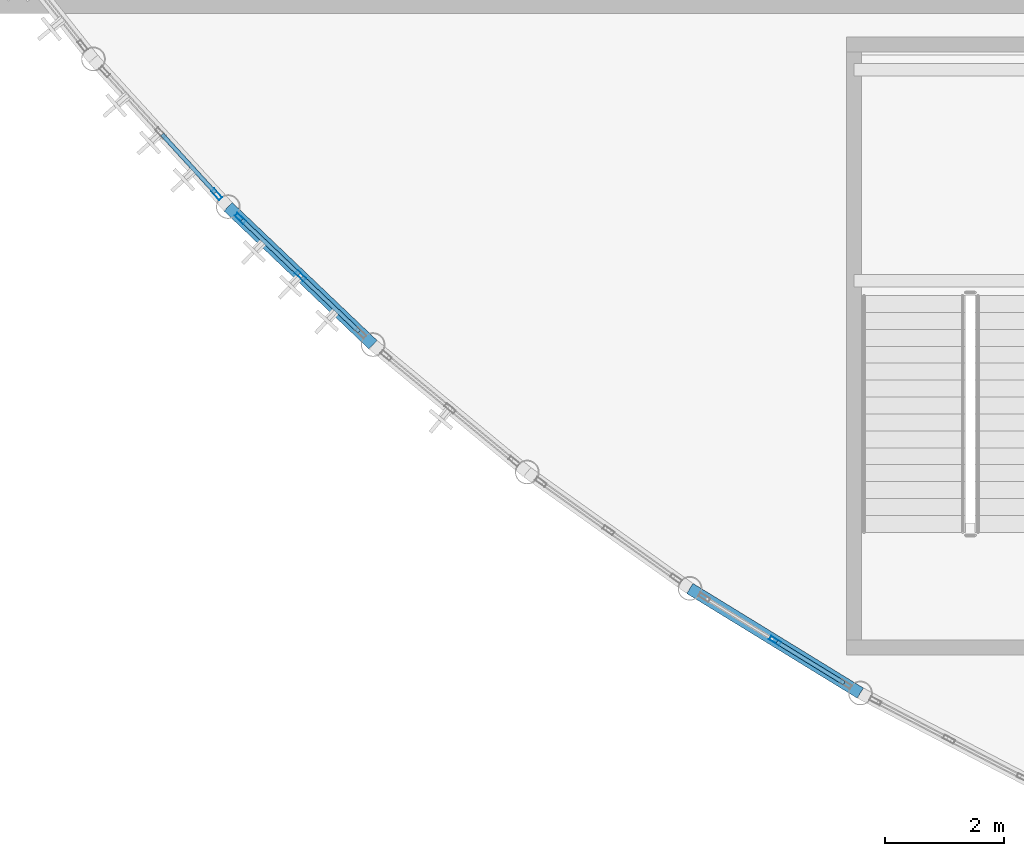
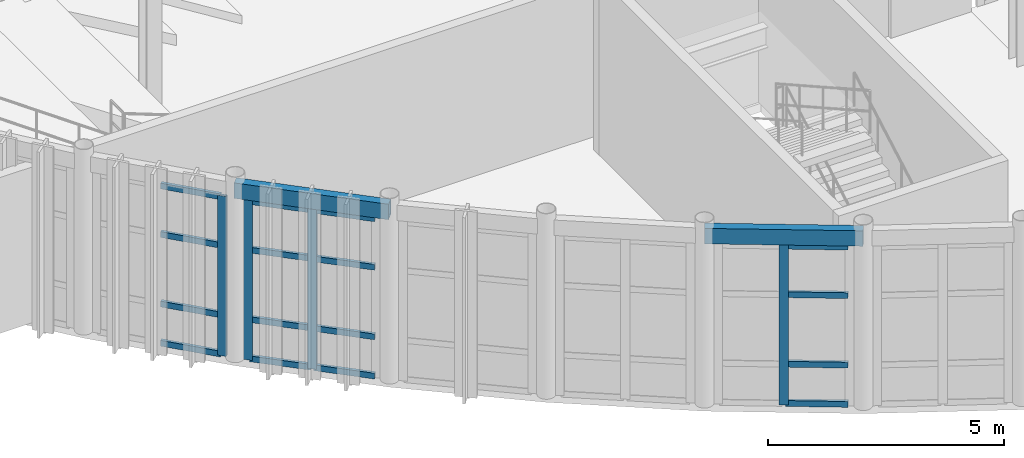
# One storey, part 20 of 116: 20 members, 2 beams, 3 elements without a shape of their own.
"""IFC4 building model written with IfcOpenShell, lengths in metres."""

import ifcopenshell
import ifcopenshell.guid

model = None  # the IFC model being written
_history = None  # IfcOwnerHistory: only IFC2X3 demands one
_inside = {}  # id of a spatial element -> (the spatial element, [elements in it])
_under = {}  # id of a project, library or spatial element -> (it, [spatial elements below it])
_declared = {}  # id of a project -> (the project, [libraries it declares])
_typed = {}  # id of a type object -> (the type object, [elements of that type])
_made_of = {}  # id of a material, layer set ... -> (it, [elements and type objects made of it])


def new_model(schema):
    """Start an empty IFC model of exactly this schema.

    Asked for "IFC4X3", IfcOpenShell would pick the latest addendum, in which some entities
    have other attributes; the version numbers below select the first issue.
    IFC2X3 requires an IfcOwnerHistory on every rooted entity: one is made here for all.
    """
    global model, _history
    if schema == "IFC4X3":
        model = ifcopenshell.file(schema_version=(4, 3, 0, 0))
    else:
        model = ifcopenshell.file(schema=schema)
    _inside.clear()
    _under.clear()
    _declared.clear()
    _typed.clear()
    _made_of.clear()
    _history = None
    if model.schema == "IFC2X3":
        org = make("IfcOrganization", Name="unknown")
        user = make(
            "IfcPersonAndOrganization",
            ThePerson=make("IfcPerson", FamilyName="unknown"),
            TheOrganization=org,
        )
        app = make(
            "IfcApplication",
            ApplicationDeveloper=org,
            Version="unknown",
            ApplicationFullName="unknown",
            ApplicationIdentifier="unknown",
        )
        _history = make(
            "IfcOwnerHistory",
            OwningUser=user,
            OwningApplication=app,
            ChangeAction="ADDED",
            CreationDate=0,
        )
    return model


def make(cls, **values):
    """One entity of the class cls with the attributes given. An attribute that is None is left unset."""
    return model.create_entity(
        cls, **{name: value for name, value in values.items() if value is not None}
    )


def rooted(cls, **values):
    """An entity with a GlobalId (a new one), such as an element, a storey or a relation."""
    return make(cls, GlobalId=ifcopenshell.guid.new(), OwnerHistory=_history, **values)


def si_unit(unit_type, name, prefix=None):
    """IfcSIUnit, for example si_unit("LENGTHUNIT", "METRE", prefix="MILLI")."""
    return make("IfcSIUnit", UnitType=unit_type, Prefix=prefix, Name=name)


def assignment(units):
    """IfcUnitAssignment: the units of a project."""
    return None if units is None else make("IfcUnitAssignment", Units=units)


def point(xyz):
    """IfcCartesianPoint."""
    return None if xyz is None else make("IfcCartesianPoint", Coordinates=xyz)


def direction(xyz):
    """IfcDirection."""
    return None if xyz is None else make("IfcDirection", DirectionRatios=xyz)


def frame(location, z_axis=None, x_axis=None):
    """IfcAxis2Placement3D, a coordinate frame: its origin and axes. An axis left out is left unset."""
    return make(
        "IfcAxis2Placement3D",
        Location=point(location),
        Axis=direction(z_axis),
        RefDirection=direction(x_axis),
    )


def frame_2d(location, x_axis=None):
    """IfcAxis2Placement2D, a coordinate frame in the plane: its origin and x axis."""
    return make(
        "IfcAxis2Placement2D", Location=point(location), RefDirection=direction(x_axis)
    )


def origin():
    """The frame at (0, 0, 0) with its axes left unset."""
    return frame((0.0, 0.0, 0.0))


def origin_2d():
    """The frame at (0, 0) in the plane with its x axis left unset."""
    return frame_2d((0.0, 0.0))


def place(relative_to, where):
    """IfcLocalPlacement: puts the frame where relative to a parent placement (None: the world)."""
    return make(
        "IfcLocalPlacement", PlacementRelTo=relative_to, RelativePlacement=where
    )


def context(
    kind, dimensions, precision=None, world=None, true_north=None, identifier=None
):
    """IfcGeometricRepresentationContext, for example the 3D "Model" context."""
    return make(
        "IfcGeometricRepresentationContext",
        ContextIdentifier=identifier,
        ContextType=kind,
        CoordinateSpaceDimension=dimensions,
        Precision=precision,
        WorldCoordinateSystem=world,
        TrueNorth=true_north,
    )


def subcontext(parent, identifier, kind, view, scale=None):
    """IfcGeometricRepresentationSubContext, for example "Body" below "Model"."""
    return make(
        "IfcGeometricRepresentationSubContext",
        ContextIdentifier=identifier,
        ContextType=kind,
        ParentContext=parent,
        TargetScale=scale,
        TargetView=view,
    )


def project(units=None, contexts=None):
    """IfcProject with its units and contexts."""
    return rooted(
        "IfcProject",
        Name="project",
        RepresentationContexts=contexts,
        UnitsInContext=assignment(units),
    )


def spatial(cls, under=None, at=None, **own):
    """A site, building, storey or space (cls), placed at a placement, below another one or the project."""
    s = rooted(cls, ObjectPlacement=at, **own)
    if under is not None:
        _under.setdefault(under.id(), (under, []))[1].append(s)
    return s


def profile(cls, at=None, kind="AREA", **sizes):
    """A parametric profile (cls). Its sizes go by their IFC names, for example OverallWidth=200.0."""
    return make(cls, ProfileType=kind, Position=at, **sizes)


def hollow_rectangle(**sizes):
    """IfcRectangleHollowProfileDef."""
    return profile("IfcRectangleHollowProfileDef", **sizes)


def extrude(swept, where, along, depth):
    """IfcExtrudedAreaSolid: the profile swept, set in the frame where, extruded along a direction by depth."""
    return make(
        "IfcExtrudedAreaSolid",
        SweptArea=swept,
        Position=where,
        ExtrudedDirection=direction(along),
        Depth=depth,
    )


def shape(context_of_items, identifier, shape_type, items):
    """IfcShapeRepresentation: the items that make up one representation, for example the "Body"."""
    return make(
        "IfcShapeRepresentation",
        ContextOfItems=context_of_items,
        RepresentationIdentifier=identifier,
        RepresentationType=shape_type,
        Items=items,
    )


def material(Name=None, Category=None):
    """IfcMaterial."""
    return make("IfcMaterial", Name=Name, Category=Category)


def layer(
    of_material, thickness, ventilated=None, Name=None, Category=None, Priority=None
):
    """IfcMaterialLayer: one layer of a wall or slab, of a material (None: an air gap)."""
    return make(
        "IfcMaterialLayer",
        Material=of_material,
        LayerThickness=thickness,
        IsVentilated=ventilated,
        Name=Name,
        Category=Category,
        Priority=Priority,
    )


def layer_set(layers, Name=None):
    """IfcMaterialLayerSet."""
    return make("IfcMaterialLayerSet", MaterialLayers=layers, LayerSetName=Name)


def material_profile(
    of_material, cross_section, Name=None, Category=None, Priority=None
):
    """IfcMaterialProfile: a cross section and its material."""
    return make(
        "IfcMaterialProfile",
        Name=Name,
        Material=of_material,
        Profile=cross_section,
        Priority=Priority,
        Category=Category,
    )


def profile_set(profiles, Name=None, composite=None):
    """IfcMaterialProfileSet."""
    return make(
        "IfcMaterialProfileSet",
        Name=Name,
        MaterialProfiles=profiles,
        CompositeProfile=composite,
    )


def made_of(thing, what):
    """Note that an element or type object is made of a material, layer set ...; save() writes the relation."""
    if what is not None:
        _made_of.setdefault(what.id(), (what, []))[1].append(thing)
    return thing


def type_object(cls, material=None, **own):
    """A type object (cls), such as IfcWallType, which elements share."""
    return made_of(rooted(cls, **own), material)


def element(
    cls,
    number,
    at=None,
    inside=None,
    cuts=None,
    type_object=None,
    material=None,
    context=None,
    identifier="Body",
    shape_type=None,
    held_by="IfcProductDefinitionShape",
    body=None,
    shapes=None,
    **own,
):
    """One element of the class cls, such as IfcWall. Its Tag is "e" and its number.

    at: its placement. inside: the storey or other place that contains it. cuts: it is an
    opening in that element (IfcRelVoidsElement). A single representation is given by context,
    identifier, shape_type and body (its items); several are given by shapes. held_by: the class
    of the entity that holds the representations. save() writes the other relations.
    """
    e = rooted(cls, Tag="e%d" % number, ObjectPlacement=at, **own)
    if body is not None:
        shapes = [shape(context, identifier, shape_type, body)]
    if shapes is not None:
        e.Representation = make(held_by, Representations=shapes)
    if inside is not None:
        _inside.setdefault(inside.id(), (inside, []))[1].append(e)
    if cuts is not None:
        rooted(
            "IfcRelVoidsElement", RelatingBuildingElement=cuts, RelatedOpeningElement=e
        )
    if type_object is not None:
        _typed.setdefault(type_object.id(), (type_object, []))[1].append(e)
    return made_of(e, material)


def aggregate(whole, parts):
    """IfcRelAggregates: a whole, such as a stair, and the parts it consists of."""
    return rooted("IfcRelAggregates", RelatingObject=whole, RelatedObjects=parts)


def save(model, path):
    """Write the relations noted so far, then the file.

    IfcRelAggregates (storeys below a building ...), IfcRelContainedInSpatialStructure (elements
    in a storey), IfcRelDefinesByType, IfcRelAssociatesMaterial and IfcRelDeclares: one each for
    every whole, place, type object, material and project.
    """
    for whole, parts in _under.values():
        aggregate(whole, parts)
    for where, things in _inside.values():
        rooted(
            "IfcRelContainedInSpatialStructure",
            RelatedElements=things,
            RelatingStructure=where,
        )
    for kind, things in _typed.values():
        rooted("IfcRelDefinesByType", RelatedObjects=things, RelatingType=kind)
    for what, things in _made_of.values():
        rooted("IfcRelAssociatesMaterial", RelatedObjects=things, RelatingMaterial=what)
    for by, libraries in _declared.values():
        rooted("IfcRelDeclares", RelatingContext=by, RelatedDefinitions=libraries)
    model.write(path)


model = new_model("IFC4")

# Units and contexts
model_context = context("Model", 3, precision=1e-05, world=origin(), true_north=direction((0.0, 1.0)))
body_context = subcontext(model_context, "Body", "Model", "MODEL_VIEW")
ifc_project = project(units=[si_unit("LENGTHUNIT", "METRE"), si_unit("AREAUNIT", "SQUARE_METRE"), si_unit("VOLUMEUNIT", "CUBIC_METRE"), si_unit("PLANEANGLEUNIT", "RADIAN"), si_unit("MASSUNIT", "GRAM", prefix="KILO")], contexts=[model_context])

# Site, building, storey
site_placement = place(None, origin())
site = spatial("IfcSite", under=ifc_project, at=site_placement, CompositionType="ELEMENT")
building_placement = place(site_placement, origin())
building = spatial("IfcBuilding", under=site, at=building_placement, Name="Selat Folded Stagehouse", CompositionType="ELEMENT")
storey_placement = place(building_placement, frame((0.0, 0.0, 5.39990234375)))
storey = spatial("IfcBuildingStorey", under=building, at=storey_placement, Name="L01", CompositionType="ELEMENT", Elevation=5.39990234375)

# Curtain wall, member
ifc_material_1 = material(Name="Aluminium 6063-T6", Category="aluminium")
ifc_layer = layer(ifc_material_1, 0.199951171875)
ifc_layer_set = layer_set([ifc_layer], Name="Aluminium 6063-T6")
curtain_wall_type = type_object("IfcCurtainWallType", Name="CW-DRM-MID", PredefinedType="NOTDEFINED", material=ifc_layer_set)
curtain_wall_1_placement = place(storey_placement, origin())
curtain_wall_1 = element("IfcCurtainWall", 1, at=curtain_wall_1_placement, inside=storey, type_object=curtain_wall_type, Name="L01 curtain wall CW-DRM-L01-12", PredefinedType="NOTDEFINED")
ifc_material_profile_1 = material_profile(ifc_material_1, hollow_rectangle(XDim=0.070068359375, YDim=0.199951171875, WallThickness=0.0048828125, at=origin_2d()), Name="ALU 200x70x5.0")
ifc_profile_set_1 = profile_set([ifc_material_profile_1], Name="Aluminium 6063-T6")
member_type_1 = type_object("IfcMemberType", Name="CWM-MUL-200x70", PredefinedType="MULLION", material=ifc_profile_set_1)
member_1_placement = place(storey_placement, frame((13.50537109375, 14.634765625, 0.0), z_axis=(0.0, 0.0, 1.0), x_axis=(-0.738729183213, -0.674002369336, 0.0)))
member_1 = element("IfcMember", 2, at=member_1_placement, type_object=member_type_1, Name="CW-02 mullion 1", PredefinedType="MULLION", context=body_context, shape_type="SweptSolid", body=[
    extrude(hollow_rectangle(XDim=0.070068359375, YDim=0.199951171875, WallThickness=0.0048828125, at=origin_2d()), origin(), (0.0, 0.0, 1.0), 4.14013671875),
])

# Curtain wall, members
curtain_wall_2_placement = place(storey_placement, origin())
curtain_wall_2 = element("IfcCurtainWall", 3, at=curtain_wall_2_placement, inside=storey, type_object=curtain_wall_type, Name="L01 curtain wall CW-DRM-L01-13", PredefinedType="NOTDEFINED")
member_2_placement = place(storey_placement, frame((14.917236328125, 13.262451171875, 0.0), z_axis=(0.0, 0.0, 1.0), x_axis=(-0.689661264636, -0.724132128869, 0.0)))
member_2 = element("IfcMember", 4, at=member_2_placement, type_object=member_type_1, Name="CW-02 mullion 2", PredefinedType="MULLION", context=body_context, shape_type="SweptSolid", body=[
    extrude(hollow_rectangle(XDim=0.070068359375, YDim=0.199951171875, WallThickness=0.0048828125, at=origin_2d()), origin(), (0.0, 0.0, 1.0), 4.14013671875),
])
member_3_placement = place(storey_placement, frame((13.90380859375, 14.227783203125, 0.0), z_axis=(0.0, 0.0, 1.0), x_axis=(-0.689661264636, -0.724132128869, 0.0)))
member_3 = element("IfcMember", 5, at=member_3_placement, type_object=member_type_1, Name="CW-02 mullion 3", PredefinedType="MULLION", context=body_context, shape_type="SweptSolid", body=[
    extrude(hollow_rectangle(XDim=0.070068359375, YDim=0.199951171875, WallThickness=0.0048828125, at=origin_2d()), origin(), (0.0, 0.0, 1.0), 4.14013671875),
])

# Curtain wall, member
curtain_wall_3_placement = place(storey_placement, origin())
curtain_wall_3 = element("IfcCurtainWall", 6, at=curtain_wall_3_placement, inside=storey, type_object=curtain_wall_type, Name="L01 curtain wall CW-DRM-L01-16", PredefinedType="NOTDEFINED")
member_4_placement = place(storey_placement, frame((22.91015625, 7.114013671875, 0.0), z_axis=(0.0, 0.0, 1.0), x_axis=(-0.523025427755, -0.852317078277, 0.0)))
member_4 = element("IfcMember", 7, at=member_4_placement, type_object=member_type_1, Name="CW-02 mullion 2", PredefinedType="MULLION", context=body_context, shape_type="SweptSolid", body=[
    extrude(hollow_rectangle(XDim=0.070068359375, YDim=0.199951171875, WallThickness=0.0048828125, at=origin_2d()), origin(), (0.0, 0.0, 1.0), 4.14013671875),
])

# Member
ifc_material_profile_2 = material_profile(ifc_material_1, hollow_rectangle(XDim=0.070068359375, YDim=0.14990234375, WallThickness=0.00390625, at=origin_2d()), Name="ALU 150x70x4.0")
ifc_profile_set_2 = profile_set([ifc_material_profile_2], Name="Aluminium 6063-T6")
member_type_2 = type_object("IfcMemberType", Name="CWM-TRN-150x70", PredefinedType="USERDEFINED", material=ifc_profile_set_2)
member_5_placement = place(storey_placement, frame((13.481689453125, 14.66064453125, 0.03515625), z_axis=(-0.673951437446, 0.738775649277, 0.0), x_axis=(-0.738775649277, -0.673951437446, 0.0)))
member_5 = element("IfcMember", 8, at=member_5_placement, type_object=member_type_2, Name="CW-02 transom 1.1", ObjectType="TRANSOM", PredefinedType="USERDEFINED", context=body_context, shape_type="SweptSolid", body=[
    extrude(hollow_rectangle(XDim=0.070068359375, YDim=0.14990234375, WallThickness=0.00390625, at=origin_2d()), origin(), (0.0, 0.0, 1.0), 1.329345703125),
])

member_6_placement = place(storey_placement, frame((13.481689453125, 14.66064453125, 1.050048828125), z_axis=(-0.673951437446, 0.738775649277, 0.0), x_axis=(-0.738775649277, -0.673951437446, 0.0)))
member_6 = element("IfcMember", 9, at=member_6_placement, type_object=member_type_2, Name="CW-02 transom 1.2", ObjectType="TRANSOM", PredefinedType="USERDEFINED", context=body_context, shape_type="SweptSolid", body=[
    extrude(hollow_rectangle(XDim=0.070068359375, YDim=0.14990234375, WallThickness=0.00390625, at=origin_2d()), origin(), (0.0, 0.0, 1.0), 1.329345703125),
])

member_7_placement = place(storey_placement, frame((13.481689453125, 14.66064453125, 2.85009765625), z_axis=(-0.673951437446, 0.738775649277, 0.0), x_axis=(-0.738775649277, -0.673951437446, 0.0)))
member_7 = element("IfcMember", 10, at=member_7_placement, type_object=member_type_2, Name="CW-02 transom 1.3", ObjectType="TRANSOM", PredefinedType="USERDEFINED", context=body_context, shape_type="SweptSolid", body=[
    extrude(hollow_rectangle(XDim=0.070068359375, YDim=0.14990234375, WallThickness=0.00390625, at=origin_2d()), origin(), (0.0, 0.0, 1.0), 1.329345703125),
])

member_8_placement = place(storey_placement, frame((13.481689453125, 14.66064453125, 4.10498046875), z_axis=(-0.673951437446, 0.738775649277, 0.0), x_axis=(-0.738775649277, -0.673951437446, 0.0)))
member_8 = element("IfcMember", 11, at=member_8_placement, type_object=member_type_2, Name="CW-02 transom 1.4", ObjectType="TRANSOM", PredefinedType="USERDEFINED", context=body_context, shape_type="SweptSolid", body=[
    extrude(hollow_rectangle(XDim=0.070068359375, YDim=0.14990234375, WallThickness=0.00390625, at=origin_2d()), origin(), (0.0, 0.0, 1.0), 1.329345703125),
])

aggregate(curtain_wall_1, [member_1, member_5, member_6, member_7, member_8])

member_9_placement = place(storey_placement, frame((15.9052734375, 12.321533203125, 0.03515625), z_axis=(-0.724068054768, 0.689728535052, 0.0), x_axis=(-0.689728535052, -0.724068054768, 0.0)))
member_9 = element("IfcMember", 12, at=member_9_placement, type_object=member_type_2, Name="CW-02 transom 1.1", ObjectType="TRANSOM", PredefinedType="USERDEFINED", context=body_context, shape_type="SweptSolid", body=[
    extrude(hollow_rectangle(XDim=0.070068359375, YDim=0.14990234375, WallThickness=0.00390625, at=origin_2d()), origin(), (0.0, 0.0, 1.0), 1.32958984375),
])

member_10_placement = place(storey_placement, frame((15.9052734375, 12.321533203125, 1.050048828125), z_axis=(-0.724068054768, 0.689728535052, 0.0), x_axis=(-0.689728535052, -0.724068054768, 0.0)))
member_10 = element("IfcMember", 13, at=member_10_placement, type_object=member_type_2, Name="CW-02 transom 1.2", ObjectType="TRANSOM", PredefinedType="USERDEFINED", context=body_context, shape_type="SweptSolid", body=[
    extrude(hollow_rectangle(XDim=0.070068359375, YDim=0.14990234375, WallThickness=0.00390625, at=origin_2d()), origin(), (0.0, 0.0, 1.0), 1.32958984375),
])

member_11_placement = place(storey_placement, frame((15.9052734375, 12.321533203125, 2.85009765625), z_axis=(-0.724068054768, 0.689728535052, 0.0), x_axis=(-0.689728535052, -0.724068054768, 0.0)))
member_11 = element("IfcMember", 14, at=member_11_placement, type_object=member_type_2, Name="CW-02 transom 1.3", ObjectType="TRANSOM", PredefinedType="USERDEFINED", context=body_context, shape_type="SweptSolid", body=[
    extrude(hollow_rectangle(XDim=0.070068359375, YDim=0.14990234375, WallThickness=0.00390625, at=origin_2d()), origin(), (0.0, 0.0, 1.0), 1.32958984375),
])

member_12_placement = place(storey_placement, frame((15.9052734375, 12.321533203125, 4.10498046875), z_axis=(-0.724068054768, 0.689728535052, 0.0), x_axis=(-0.689728535052, -0.724068054768, 0.0)))
member_12 = element("IfcMember", 15, at=member_12_placement, type_object=member_type_2, Name="CW-02 transom 1.4", ObjectType="TRANSOM", PredefinedType="USERDEFINED", context=body_context, shape_type="SweptSolid", body=[
    extrude(hollow_rectangle(XDim=0.070068359375, YDim=0.14990234375, WallThickness=0.00390625, at=origin_2d()), origin(), (0.0, 0.0, 1.0), 1.32958984375),
])

member_13_placement = place(storey_placement, frame((14.891845703125, 13.28662109375, 0.03515625), z_axis=(-0.724068054768, 0.689728535052, 0.0), x_axis=(-0.689728535052, -0.724068054768, 0.0)))
member_13 = element("IfcMember", 16, at=member_13_placement, type_object=member_type_2, Name="CW-02 transom 2.1", ObjectType="TRANSOM", PredefinedType="USERDEFINED", context=body_context, shape_type="SweptSolid", body=[
    extrude(hollow_rectangle(XDim=0.070068359375, YDim=0.14990234375, WallThickness=0.00390625, at=origin_2d()), origin(), (0.0, 0.0, 1.0), 1.32958984375),
])

member_14_placement = place(storey_placement, frame((14.891845703125, 13.28662109375, 1.050048828125), z_axis=(-0.724068054768, 0.689728535052, 0.0), x_axis=(-0.689728535052, -0.724068054768, 0.0)))
member_14 = element("IfcMember", 17, at=member_14_placement, type_object=member_type_2, Name="CW-02 transom 2.2", ObjectType="TRANSOM", PredefinedType="USERDEFINED", context=body_context, shape_type="SweptSolid", body=[
    extrude(hollow_rectangle(XDim=0.070068359375, YDim=0.14990234375, WallThickness=0.00390625, at=origin_2d()), origin(), (0.0, 0.0, 1.0), 1.32958984375),
])

member_15_placement = place(storey_placement, frame((14.891845703125, 13.28662109375, 2.85009765625), z_axis=(-0.724068054768, 0.689728535052, 0.0), x_axis=(-0.689728535052, -0.724068054768, 0.0)))
member_15 = element("IfcMember", 18, at=member_15_placement, type_object=member_type_2, Name="CW-02 transom 2.3", ObjectType="TRANSOM", PredefinedType="USERDEFINED", context=body_context, shape_type="SweptSolid", body=[
    extrude(hollow_rectangle(XDim=0.070068359375, YDim=0.14990234375, WallThickness=0.00390625, at=origin_2d()), origin(), (0.0, 0.0, 1.0), 1.32958984375),
])

member_16_placement = place(storey_placement, frame((14.891845703125, 13.28662109375, 4.10498046875), z_axis=(-0.724068054768, 0.689728535052, 0.0), x_axis=(-0.689728535052, -0.724068054768, 0.0)))
member_16 = element("IfcMember", 19, at=member_16_placement, type_object=member_type_2, Name="CW-02 transom 2.4", ObjectType="TRANSOM", PredefinedType="USERDEFINED", context=body_context, shape_type="SweptSolid", body=[
    extrude(hollow_rectangle(XDim=0.070068359375, YDim=0.14990234375, WallThickness=0.00390625, at=origin_2d()), origin(), (0.0, 0.0, 1.0), 1.32958984375),
])

aggregate(curtain_wall_2, [member_2, member_3, member_9, member_10, member_11, member_12, member_13, member_14, member_15, member_16])

member_17_placement = place(storey_placement, frame((24.072998046875, 6.400390625, 0.03515625), z_axis=(-0.852313425486, 0.52303138026, 0.0), x_axis=(-0.52303138026, -0.852313425486, 0.0)))
member_17 = element("IfcMember", 20, at=member_17_placement, type_object=member_type_2, Name="CW-02 transom 1.1", ObjectType="TRANSOM", PredefinedType="USERDEFINED", context=body_context, shape_type="SweptSolid", body=[
    extrude(hollow_rectangle(XDim=0.070068359375, YDim=0.14990234375, WallThickness=0.00390625, at=origin_2d()), origin(), (0.0, 0.0, 1.0), 1.329345703125),
])

member_18_placement = place(storey_placement, frame((24.072998046875, 6.400390625, 1.050048828125), z_axis=(-0.852313425486, 0.52303138026, 0.0), x_axis=(-0.52303138026, -0.852313425486, 0.0)))
member_18 = element("IfcMember", 21, at=member_18_placement, type_object=member_type_2, Name="CW-02 transom 1.2", ObjectType="TRANSOM", PredefinedType="USERDEFINED", context=body_context, shape_type="SweptSolid", body=[
    extrude(hollow_rectangle(XDim=0.070068359375, YDim=0.14990234375, WallThickness=0.00390625, at=origin_2d()), origin(), (0.0, 0.0, 1.0), 1.329345703125),
])

member_19_placement = place(storey_placement, frame((24.072998046875, 6.400390625, 2.85009765625), z_axis=(-0.852313425486, 0.52303138026, 0.0), x_axis=(-0.52303138026, -0.852313425486, 0.0)))
member_19 = element("IfcMember", 22, at=member_19_placement, type_object=member_type_2, Name="CW-02 transom 1.3", ObjectType="TRANSOM", PredefinedType="USERDEFINED", context=body_context, shape_type="SweptSolid", body=[
    extrude(hollow_rectangle(XDim=0.070068359375, YDim=0.14990234375, WallThickness=0.00390625, at=origin_2d()), origin(), (0.0, 0.0, 1.0), 1.329345703125),
])

member_20_placement = place(storey_placement, frame((24.072998046875, 6.400390625, 4.10498046875), z_axis=(-0.852313425486, 0.52303138026, 0.0), x_axis=(-0.52303138026, -0.852313425486, 0.0)))
member_20 = element("IfcMember", 23, at=member_20_placement, type_object=member_type_2, Name="CW-02 transom 1.4", ObjectType="TRANSOM", PredefinedType="USERDEFINED", context=body_context, shape_type="SweptSolid", body=[
    extrude(hollow_rectangle(XDim=0.070068359375, YDim=0.14990234375, WallThickness=0.00390625, at=origin_2d()), origin(), (0.0, 0.0, 1.0), 1.329345703125),
])

aggregate(curtain_wall_3, [member_4, member_17, member_18, member_19, member_20])

# Beams
ifc_material_2 = material(Name="Steel S355", Category="steel")
ifc_material_profile_3 = material_profile(ifc_material_2, hollow_rectangle(XDim=0.199951171875, YDim=0.39990234375, WallThickness=0.012451171875, at=origin_2d()), Name="RHS 400x200x12.5")
ifc_profile_set_3 = profile_set([ifc_material_profile_3], Name="Steel S355")
beam_type = type_object("IfcBeamType", Name="SPD-EXT-400x200", PredefinedType="SPANDREL", material=ifc_profile_set_3)
for number, where, z_axis, x_axis, name in (
    (24, (13.697509765625, 14.42431640625, 4.380126953125), (0.724108632634, -0.689685934426, 0.0), (0.689685934426, 0.724108632634, 0.0), "L01 curved drum spandrel beam 14"),
    (25, (21.474365234375, 7.9951171875, 4.380126953125), (0.852289688317, -0.523070059542, 0.0), (0.523070059542, 0.852289688317, 0.0), "L01 curved drum spandrel beam 17"),
):
    element("IfcBeam", number, at=place(storey_placement, frame(where, z_axis=z_axis, x_axis=x_axis)), inside=storey, type_object=beam_type, Name=name, PredefinedType="SPANDREL", context=body_context, shape_type="SweptSolid", body=[
        extrude(hollow_rectangle(XDim=0.199951171875, YDim=0.39990234375, WallThickness=0.012451171875, at=origin_2d()), origin(), (0.0, 0.0, 1.0), 3.368896484375),
    ])

save(model, "model.ifc")
